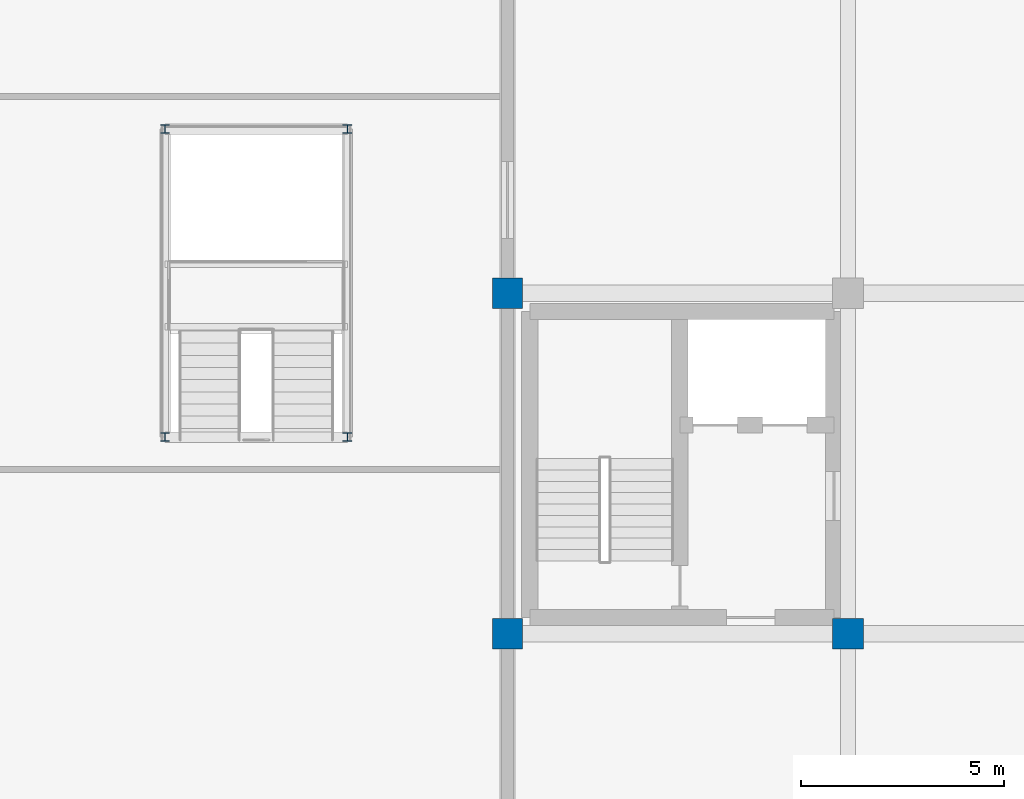
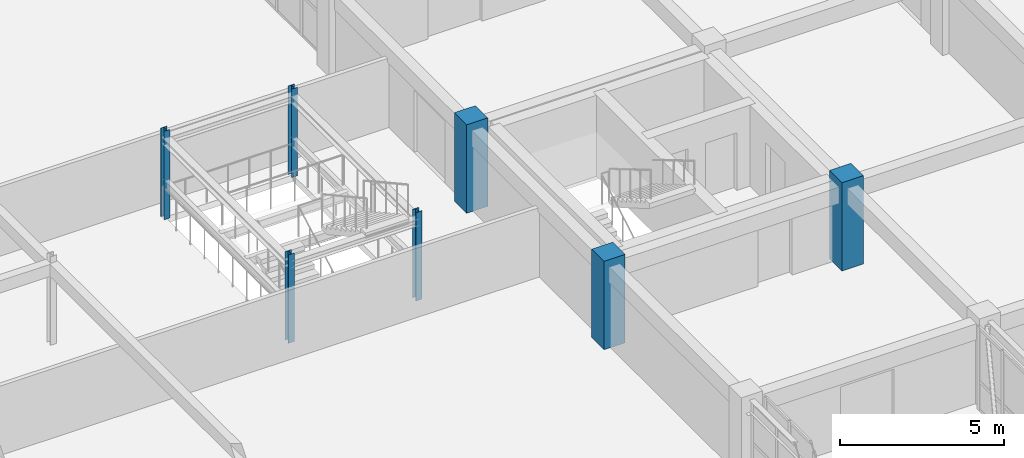
# One storey, part 11 of 200: 7 columns.
"""IFC4 building model written with IfcOpenShell, lengths in metres."""

from ifc_helpers import new_model, si_unit, direction, frame, origin, origin_2d, place, context, subcontext, project, spatial, rectangle, i_section, extrude, material, material_profile, profile_set, type_object, element, save


model = new_model("IFC4")

# Units and contexts
model_context = context("Model", 3, precision=1e-05, world=origin(), true_north=direction((0.0, 1.0)))
body_context = subcontext(model_context, "Body", "Model", "MODEL_VIEW")
ifc_project = project(units=[si_unit("LENGTHUNIT", "METRE"), si_unit("AREAUNIT", "SQUARE_METRE"), si_unit("VOLUMEUNIT", "CUBIC_METRE"), si_unit("PLANEANGLEUNIT", "RADIAN"), si_unit("MASSUNIT", "GRAM", prefix="KILO")], contexts=[model_context])

# Site, building, storey
site_placement = place(None, origin())
site = spatial("IfcSite", under=ifc_project, at=site_placement, CompositionType="ELEMENT")
building_placement = place(site_placement, origin())
building = spatial("IfcBuilding", under=site, at=building_placement, Name="Trelvath General Hospital", CompositionType="ELEMENT")
storey_placement = place(building_placement, frame((0.0, 0.0, 4.800048828125)))
storey = spatial("IfcBuildingStorey", under=building, at=storey_placement, Name="L01", CompositionType="ELEMENT", Elevation=4.800048828125)

# Columns
ifc_material_1 = material(Name="Concrete C40/50", Category="concrete")
ifc_material_profile_1 = material_profile(ifc_material_1, rectangle(XDim=0.75, YDim=0.75, at=origin_2d()), Name="RC750x750")
ifc_profile_set_1 = profile_set([ifc_material_profile_1], Name="Concrete C40/50")
column_type_1 = type_object("IfcColumnType", Name="Column RC750", PredefinedType="COLUMN", material=ifc_profile_set_1)
for number, where, z_axis, x_axis, name in (
    (1, (75.60009765625, 50.39990234375, 0.0), (0.0, 0.0, 1.0), (1.0, 0.0, 0.0), "Column C-10G L01"),
    (2, (75.60009765625, 58.800048828125, 0.0), (0.0, 0.0, 1.0), (1.0, 0.0, 0.0), "Column C-10H L01"),
):
    element("IfcColumn", number, at=place(storey_placement, frame(where, z_axis=z_axis, x_axis=x_axis)), inside=storey, type_object=column_type_1, Name=name, PredefinedType="COLUMN", context=body_context, shape_type="SweptSolid", body=[
        extrude(rectangle(XDim=0.75, YDim=0.75, at=origin_2d()), origin(), (0.0, 0.0, 1.0), 3.300048828125),
    ])
ifc_material_2 = material(Name="Concrete C40/50", Category="concrete")
ifc_material_profile_2 = material_profile(ifc_material_2, rectangle(XDim=0.760009765625, YDim=0.760009765625, at=origin_2d()), Name="RC760x760")
ifc_profile_set_2 = profile_set([ifc_material_profile_2], Name="Concrete C40/50")
column_type_2 = type_object("IfcColumnType", Name="Column RC760", PredefinedType="COLUMN", material=ifc_profile_set_2)
column_placement = place(storey_placement, frame((84.0, 50.39990234375, 0.0), z_axis=(0.0, 0.0, 1.0), x_axis=(1.0, 0.0, 0.0)))
element("IfcColumn", 3, at=column_placement, inside=storey, type_object=column_type_2, Name="Column C-11G L01", PredefinedType="COLUMN", context=body_context, shape_type="SweptSolid", body=[
    extrude(rectangle(XDim=0.760009765625, YDim=0.760009765625, at=origin_2d()), origin(), (0.0, 0.0, 1.0), 3.300048828125),
])
ifc_material_3 = material(Name="Steel S355", Category="steel")
ifc_material_profile_3 = material_profile(ifc_material_3, i_section(OverallWidth=0.219970703125, OverallDepth=0.2099609375, WebThickness=0.007080078125, FlangeThickness=0.010986328125, at=origin_2d()), Name="HEA220")
ifc_profile_set_3 = profile_set([ifc_material_profile_3], Name="Steel S355")
column_type_3 = type_object("IfcColumnType", Name="StairPost HEA220", PredefinedType="COLUMN", material=ifc_profile_set_3)
for number, where, z_axis, x_axis, name in (
    (4, (67.14990234375, 55.25, 0.0), (0.0, 0.0, 1.0), (1.0, 0.0, 0.0), "Atrium Stair Post CUBE-W 1 L01"),
    (5, (71.64990234375, 55.25, 0.0), (0.0, 0.0, 1.0), (1.0, 0.0, 0.0), "Atrium Stair Post CUBE-W 2 L01"),
    (6, (67.14990234375, 62.85009765625, 0.0), (0.0, 0.0, 1.0), (1.0, 0.0, 0.0), "Atrium Stair Post CUBE-W 3 L01"),
    (7, (71.64990234375, 62.85009765625, 0.0), (0.0, 0.0, 1.0), (1.0, 0.0, 0.0), "Atrium Stair Post CUBE-W 4 L01"),
):
    element("IfcColumn", number, at=place(storey_placement, frame(where, z_axis=z_axis, x_axis=x_axis)), inside=storey, type_object=column_type_3, Name=name, PredefinedType="COLUMN", context=body_context, shape_type="SweptSolid", body=[
        extrude(i_section(OverallWidth=0.219970703125, OverallDepth=0.2099609375, WebThickness=0.007080078125, FlangeThickness=0.010986328125, at=origin_2d()), origin(), (0.0, 0.0, 1.0), 3.300048828125),
    ])

save(model, "model.ifc")
